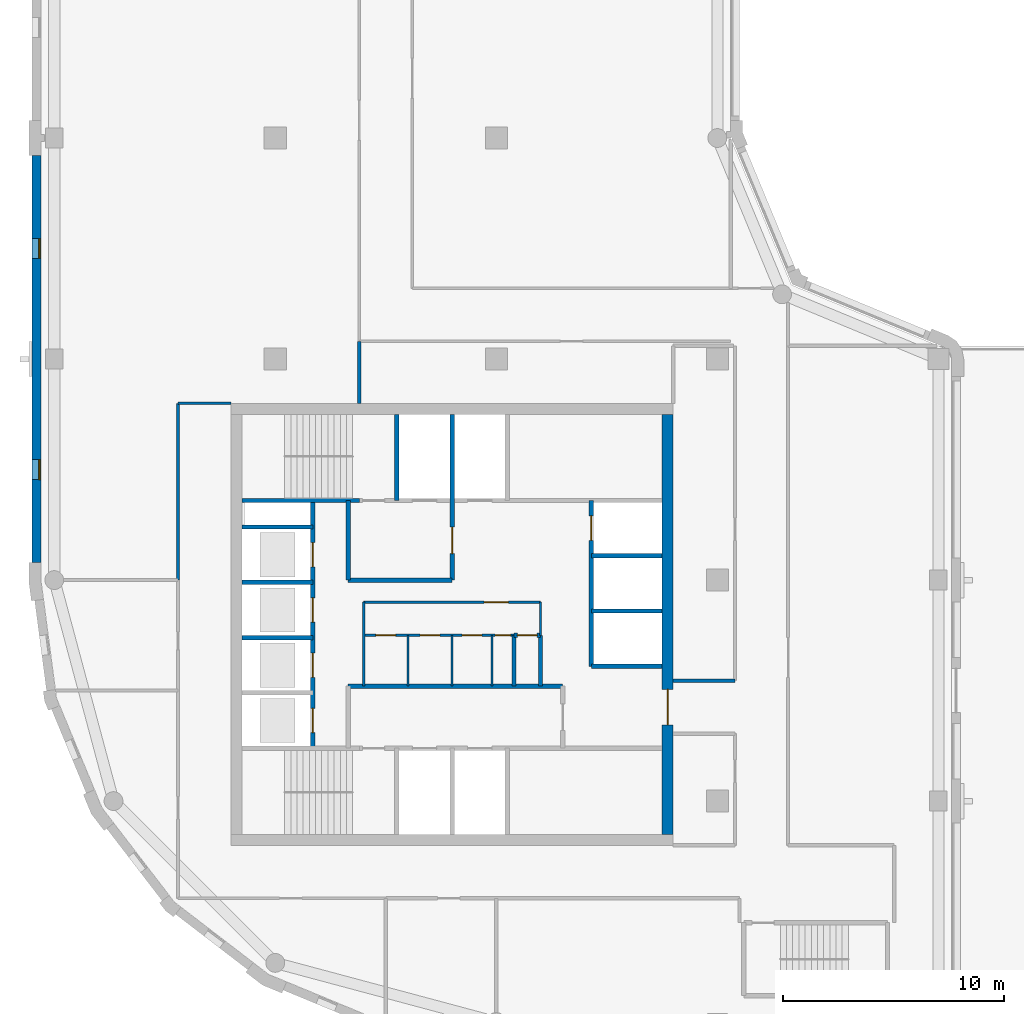
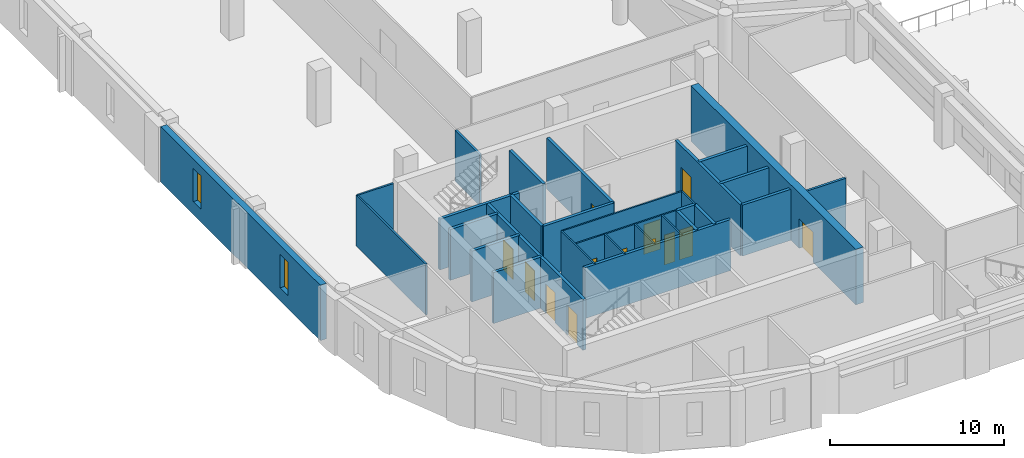
# One storey, part 3 of 8: 30 walls, 13 doors, 2 windows, 15 openings.
"""IFC4 building model written with IfcOpenShell, lengths in metres."""

import ifcopenshell
import ifcopenshell.guid

model = None  # the IFC model being written
_history = None  # IfcOwnerHistory: only IFC2X3 demands one
_inside = {}  # id of a spatial element -> (the spatial element, [elements in it])
_under = {}  # id of a project, library or spatial element -> (it, [spatial elements below it])
_declared = {}  # id of a project -> (the project, [libraries it declares])
_typed = {}  # id of a type object -> (the type object, [elements of that type])
_made_of = {}  # id of a material, layer set ... -> (it, [elements and type objects made of it])


def new_model(schema):
    """Start an empty IFC model of exactly this schema.

    Asked for "IFC4X3", IfcOpenShell would pick the latest addendum, in which some entities
    have other attributes; the version numbers below select the first issue.
    IFC2X3 requires an IfcOwnerHistory on every rooted entity: one is made here for all.
    """
    global model, _history
    if schema == "IFC4X3":
        model = ifcopenshell.file(schema_version=(4, 3, 0, 0))
    else:
        model = ifcopenshell.file(schema=schema)
    _inside.clear()
    _under.clear()
    _declared.clear()
    _typed.clear()
    _made_of.clear()
    _history = None
    if model.schema == "IFC2X3":
        org = make("IfcOrganization", Name="unknown")
        user = make(
            "IfcPersonAndOrganization",
            ThePerson=make("IfcPerson", FamilyName="unknown"),
            TheOrganization=org,
        )
        app = make(
            "IfcApplication",
            ApplicationDeveloper=org,
            Version="unknown",
            ApplicationFullName="unknown",
            ApplicationIdentifier="unknown",
        )
        _history = make(
            "IfcOwnerHistory",
            OwningUser=user,
            OwningApplication=app,
            ChangeAction="ADDED",
            CreationDate=0,
        )
    return model


def make(cls, **values):
    """One entity of the class cls with the attributes given. An attribute that is None is left unset."""
    return model.create_entity(
        cls, **{name: value for name, value in values.items() if value is not None}
    )


def rooted(cls, **values):
    """An entity with a GlobalId (a new one), such as an element, a storey or a relation."""
    return make(cls, GlobalId=ifcopenshell.guid.new(), OwnerHistory=_history, **values)


def si_unit(unit_type, name, prefix=None):
    """IfcSIUnit, for example si_unit("LENGTHUNIT", "METRE", prefix="MILLI")."""
    return make("IfcSIUnit", UnitType=unit_type, Prefix=prefix, Name=name)


def assignment(units):
    """IfcUnitAssignment: the units of a project."""
    return None if units is None else make("IfcUnitAssignment", Units=units)


def point(xyz):
    """IfcCartesianPoint."""
    return None if xyz is None else make("IfcCartesianPoint", Coordinates=xyz)


def direction(xyz):
    """IfcDirection."""
    return None if xyz is None else make("IfcDirection", DirectionRatios=xyz)


def frame(location, z_axis=None, x_axis=None):
    """IfcAxis2Placement3D, a coordinate frame: its origin and axes. An axis left out is left unset."""
    return make(
        "IfcAxis2Placement3D",
        Location=point(location),
        Axis=direction(z_axis),
        RefDirection=direction(x_axis),
    )


def frame_2d(location, x_axis=None):
    """IfcAxis2Placement2D, a coordinate frame in the plane: its origin and x axis."""
    return make(
        "IfcAxis2Placement2D", Location=point(location), RefDirection=direction(x_axis)
    )


def origin():
    """The frame at (0, 0, 0) with its axes left unset."""
    return frame((0.0, 0.0, 0.0))


def place(relative_to, where):
    """IfcLocalPlacement: puts the frame where relative to a parent placement (None: the world)."""
    return make(
        "IfcLocalPlacement", PlacementRelTo=relative_to, RelativePlacement=where
    )


def context(
    kind, dimensions, precision=None, world=None, true_north=None, identifier=None
):
    """IfcGeometricRepresentationContext, for example the 3D "Model" context."""
    return make(
        "IfcGeometricRepresentationContext",
        ContextIdentifier=identifier,
        ContextType=kind,
        CoordinateSpaceDimension=dimensions,
        Precision=precision,
        WorldCoordinateSystem=world,
        TrueNorth=true_north,
    )


def subcontext(parent, identifier, kind, view, scale=None):
    """IfcGeometricRepresentationSubContext, for example "Body" below "Model"."""
    return make(
        "IfcGeometricRepresentationSubContext",
        ContextIdentifier=identifier,
        ContextType=kind,
        ParentContext=parent,
        TargetScale=scale,
        TargetView=view,
    )


def project(units=None, contexts=None):
    """IfcProject with its units and contexts."""
    return rooted(
        "IfcProject",
        Name="project",
        RepresentationContexts=contexts,
        UnitsInContext=assignment(units),
    )


def spatial(cls, under=None, at=None, **own):
    """A site, building, storey or space (cls), placed at a placement, below another one or the project."""
    s = rooted(cls, ObjectPlacement=at, **own)
    if under is not None:
        _under.setdefault(under.id(), (under, []))[1].append(s)
    return s


def profile(cls, at=None, kind="AREA", **sizes):
    """A parametric profile (cls). Its sizes go by their IFC names, for example OverallWidth=200.0."""
    return make(cls, ProfileType=kind, Position=at, **sizes)


def rectangle(**sizes):
    """IfcRectangleProfileDef."""
    return profile("IfcRectangleProfileDef", **sizes)


def extrude(swept, where, along, depth):
    """IfcExtrudedAreaSolid: the profile swept, set in the frame where, extruded along a direction by depth."""
    return make(
        "IfcExtrudedAreaSolid",
        SweptArea=swept,
        Position=where,
        ExtrudedDirection=direction(along),
        Depth=depth,
    )


def shape(context_of_items, identifier, shape_type, items):
    """IfcShapeRepresentation: the items that make up one representation, for example the "Body"."""
    return make(
        "IfcShapeRepresentation",
        ContextOfItems=context_of_items,
        RepresentationIdentifier=identifier,
        RepresentationType=shape_type,
        Items=items,
    )


def material(Name=None, Category=None):
    """IfcMaterial."""
    return make("IfcMaterial", Name=Name, Category=Category)


def layer(
    of_material, thickness, ventilated=None, Name=None, Category=None, Priority=None
):
    """IfcMaterialLayer: one layer of a wall or slab, of a material (None: an air gap)."""
    return make(
        "IfcMaterialLayer",
        Material=of_material,
        LayerThickness=thickness,
        IsVentilated=ventilated,
        Name=Name,
        Category=Category,
        Priority=Priority,
    )


def layer_set(layers, Name=None):
    """IfcMaterialLayerSet."""
    return make("IfcMaterialLayerSet", MaterialLayers=layers, LayerSetName=Name)


def made_of(thing, what):
    """Note that an element or type object is made of a material, layer set ...; save() writes the relation."""
    if what is not None:
        _made_of.setdefault(what.id(), (what, []))[1].append(thing)
    return thing


def type_object(cls, material=None, **own):
    """A type object (cls), such as IfcWallType, which elements share."""
    return made_of(rooted(cls, **own), material)


def element(
    cls,
    number,
    at=None,
    inside=None,
    cuts=None,
    type_object=None,
    material=None,
    context=None,
    identifier="Body",
    shape_type=None,
    held_by="IfcProductDefinitionShape",
    body=None,
    shapes=None,
    **own,
):
    """One element of the class cls, such as IfcWall. Its Tag is "e" and its number.

    at: its placement. inside: the storey or other place that contains it. cuts: it is an
    opening in that element (IfcRelVoidsElement). A single representation is given by context,
    identifier, shape_type and body (its items); several are given by shapes. held_by: the class
    of the entity that holds the representations. save() writes the other relations.
    """
    e = rooted(cls, Tag="e%d" % number, ObjectPlacement=at, **own)
    if body is not None:
        shapes = [shape(context, identifier, shape_type, body)]
    if shapes is not None:
        e.Representation = make(held_by, Representations=shapes)
    if inside is not None:
        _inside.setdefault(inside.id(), (inside, []))[1].append(e)
    if cuts is not None:
        rooted(
            "IfcRelVoidsElement", RelatingBuildingElement=cuts, RelatedOpeningElement=e
        )
    if type_object is not None:
        _typed.setdefault(type_object.id(), (type_object, []))[1].append(e)
    return made_of(e, material)


def fill(opening, filler):
    """IfcRelFillsElement: the door or window that sits in an opening."""
    return rooted(
        "IfcRelFillsElement",
        RelatingOpeningElement=opening,
        RelatedBuildingElement=filler,
    )


def aggregate(whole, parts):
    """IfcRelAggregates: a whole, such as a stair, and the parts it consists of."""
    return rooted("IfcRelAggregates", RelatingObject=whole, RelatedObjects=parts)


def save(model, path):
    """Write the relations noted so far, then the file.

    IfcRelAggregates (storeys below a building ...), IfcRelContainedInSpatialStructure (elements
    in a storey), IfcRelDefinesByType, IfcRelAssociatesMaterial and IfcRelDeclares: one each for
    every whole, place, type object, material and project.
    """
    for whole, parts in _under.values():
        aggregate(whole, parts)
    for where, things in _inside.values():
        rooted(
            "IfcRelContainedInSpatialStructure",
            RelatedElements=things,
            RelatingStructure=where,
        )
    for kind, things in _typed.values():
        rooted("IfcRelDefinesByType", RelatedObjects=things, RelatingType=kind)
    for what, things in _made_of.values():
        rooted("IfcRelAssociatesMaterial", RelatedObjects=things, RelatingMaterial=what)
    for by, libraries in _declared.values():
        rooted("IfcRelDeclares", RelatingContext=by, RelatedDefinitions=libraries)
    model.write(path)


model = new_model("IFC4")

# Units and contexts
model_context = context("Model", 3, precision=1e-05, world=origin(), true_north=direction((0.0, 1.0)))
body_context = subcontext(model_context, "Body", "Model", "MODEL_VIEW")
ifc_project = project(units=[si_unit("LENGTHUNIT", "METRE"), si_unit("AREAUNIT", "SQUARE_METRE"), si_unit("VOLUMEUNIT", "CUBIC_METRE"), si_unit("PLANEANGLEUNIT", "RADIAN"), si_unit("MASSUNIT", "GRAM", prefix="KILO")], contexts=[model_context])

# Site, building, storey
site_placement = place(None, origin())
site = spatial("IfcSite", under=ifc_project, at=site_placement, CompositionType="ELEMENT")
building_placement = place(site_placement, origin())
building = spatial("IfcBuilding", under=site, at=building_placement, Name="Qaws Garden Tower", CompositionType="ELEMENT")
storey_placement = place(building_placement, frame((0.0, 0.0, 278.699951171875)))
storey = spatial("IfcBuildingStorey", under=building, at=storey_placement, Name="L67", CompositionType="ELEMENT", Elevation=278.699951171875)

# Wall, openings, windows
ifc_material_1 = material(Name="Clay facing brick masonry", Category="masonry")
ifc_layer_1 = layer(ifc_material_1, 0.39990234375)
ifc_layer_set_1 = layer_set([ifc_layer_1], Name="Clay facing brick masonry")
wall_type_1 = type_object("IfcWallType", Name="Brick infill wall 400", PredefinedType="SOLIDWALL", material=ifc_layer_set_1)
wall_1_placement = place(storey_placement, frame((-0.800048828125, 39.199951171875, 0.0), z_axis=(0.0, 0.0, 1.0), x_axis=(0.0, -1.0, 0.0)))
wall_1 = element("IfcWall", 1, at=wall_1_placement, inside=storey, type_object=wall_type_1, Name="E-L67-infill-19", PredefinedType="SOLIDWALL", context=body_context, shape_type="SweptSolid", body=[
    extrude(rectangle(XDim=18.39990234375, YDim=0.39990234375, at=frame_2d((9.199951171875, 0.0))), origin(), (0.0, 0.0, 1.0), 3.900146484375),
])
opening_1_placement = place(wall_1_placement, frame((3.75, 0.0, 0.89990234375)))
opening_1 = element("IfcOpeningElement", 2, at=opening_1_placement, cuts=wall_1, Name="Opening W09", PredefinedType="OPENING", context=body_context, shape_type="SweptSolid", body=[
    extrude(rectangle(XDim=0.89990234375, YDim=2.35009765625, at=frame_2d((0.449951171875, 1.175048828125))), frame((0.0, 0.2099609375, 0.0), z_axis=(0.0, -1.0, 0.0), x_axis=(1.0, 0.0, 0.0)), (0.0, 0.0, 1.0), 0.419921875),
])
opening_2_placement = place(wall_1_placement, frame((13.75, 0.0, 0.89990234375)))
opening_2 = element("IfcOpeningElement", 3, at=opening_2_placement, cuts=wall_1, Name="Opening W09", PredefinedType="OPENING", context=body_context, shape_type="SweptSolid", body=[
    extrude(rectangle(XDim=0.89990234375, YDim=2.35009765625, at=frame_2d((0.449951171875, 1.175048828125))), frame((0.0, 0.2099609375, 0.0), z_axis=(0.0, -1.0, 0.0), x_axis=(1.0, 0.0, 0.0)), (0.0, 0.0, 1.0), 0.419921875),
])
ifc_material_2 = material(Name="Aluminium framed window, clear glazing", Category="aluminium")
window_type = type_object("IfcWindowType", Name="Slit window 900 x 2350", PartitioningType="SINGLE_PANEL", PredefinedType="WINDOW", material=ifc_material_2)
window_1_placement = place(opening_1_placement, origin())
window_1 = element("IfcWindow", 4, at=window_1_placement, inside=storey, type_object=window_type, Name="E-L67-window-19-0", OverallHeight=2.35009765625, OverallWidth=0.89990234375, PartitioningType="SINGLE_PANEL", PredefinedType="WINDOW", context=body_context, shape_type="SweptSolid", body=[
    extrude(rectangle(XDim=0.89990234375, YDim=2.35009765625, at=frame_2d((0.449951171875, 1.175048828125))), frame((0.0, 0.159912109375, 0.0), z_axis=(0.0, -1.0, 0.0), x_axis=(1.0, 0.0, 0.0)), (0.0, 0.0, 1.0), 0.06005859375),
])
fill(opening_1, window_1)
window_2_placement = place(opening_2_placement, origin())
window_2 = element("IfcWindow", 5, at=window_2_placement, inside=storey, type_object=window_type, Name="E-L67-window-20-0", OverallHeight=2.35009765625, OverallWidth=0.89990234375, PartitioningType="SINGLE_PANEL", PredefinedType="WINDOW", context=body_context, shape_type="SweptSolid", body=[
    extrude(rectangle(XDim=0.89990234375, YDim=2.35009765625, at=frame_2d((0.449951171875, 1.175048828125))), frame((0.0, 0.159912109375, 0.0), z_axis=(0.0, -1.0, 0.0), x_axis=(1.0, 0.0, 0.0)), (0.0, 0.0, 1.0), 0.06005859375),
])
fill(opening_2, window_2)

# Wall, openings, doors
ifc_material_3 = material(Name="Plasterboard")
ifc_layer_2 = layer(ifc_material_3, 0.10009765625)
ifc_layer_set_2 = layer_set([ifc_layer_2], Name="Plasterboard")
wall_type_2 = type_object("IfcWallType", Name="Core partition 100", PredefinedType="PARTITIONING", material=ifc_layer_set_2)
wall_2_placement = place(storey_placement, frame((14.0, 17.5, 0.0), z_axis=(0.0, 0.0, 1.0), x_axis=(1.0, 0.0, 0.0)))
wall_2 = element("IfcWall", 6, at=wall_2_placement, inside=storey, type_object=wall_type_2, Name="Core partition", PredefinedType="PARTITIONING", context=body_context, shape_type="SweptSolid", body=[
    extrude(rectangle(XDim=6.800048828125, YDim=0.10009765625, at=frame_2d((3.39990234375, 0.0))), origin(), (0.0, 0.0, 1.0), 3.580078125),
])
opening_3_placement = place(wall_2_placement, frame((0.550048828125, 0.0, 0.0)))
opening_3 = element("IfcOpeningElement", 7, at=opening_3_placement, cuts=wall_2, Name="Opening WD18", PredefinedType="OPENING", context=body_context, shape_type="SweptSolid", body=[
    extrude(rectangle(XDim=0.89990234375, YDim=2.10009765625, at=frame_2d((0.449951171875, 1.050048828125))), frame((0.0, 0.06005859375, 0.0), z_axis=(0.0, -1.0, 0.0), x_axis=(1.0, 0.0, 0.0)), (0.0, 0.0, 1.0), 0.1201171875),
])
opening_4_placement = place(wall_2_placement, frame((2.550048828125, 0.0, 0.0)))
opening_4 = element("IfcOpeningElement", 8, at=opening_4_placement, cuts=wall_2, Name="Opening WD19", PredefinedType="OPENING", context=body_context, shape_type="SweptSolid", body=[
    extrude(rectangle(XDim=0.89990234375, YDim=2.10009765625, at=frame_2d((0.449951171875, 1.050048828125))), frame((0.0, 0.06005859375, 0.0), z_axis=(0.0, -1.0, 0.0), x_axis=(1.0, 0.0, 0.0)), (0.0, 0.0, 1.0), 0.1201171875),
])
opening_5_placement = place(wall_2_placement, frame((4.449951171875, 0.0, 0.0)))
opening_5 = element("IfcOpeningElement", 9, at=opening_5_placement, cuts=wall_2, Name="Opening WD20", PredefinedType="OPENING", context=body_context, shape_type="SweptSolid", body=[
    extrude(rectangle(XDim=0.89990234375, YDim=2.10009765625, at=frame_2d((0.449951171875, 1.050048828125))), frame((0.0, 0.06005859375, 0.0), z_axis=(0.0, -1.0, 0.0), x_axis=(1.0, 0.0, 0.0)), (0.0, 0.0, 1.0), 0.1201171875),
])
opening_6_placement = place(wall_2_placement, frame((5.949951171875, 0.0, 0.0)))
opening_6 = element("IfcOpeningElement", 10, at=opening_6_placement, cuts=wall_2, Name="Opening XD21", PredefinedType="OPENING", context=body_context, shape_type="SweptSolid", body=[
    extrude(rectangle(XDim=0.699951171875, YDim=2.10009765625, at=frame_2d((0.35009765625, 1.050048828125))), frame((0.0, 0.06005859375, 0.0), z_axis=(0.0, -1.0, 0.0), x_axis=(1.0, 0.0, 0.0)), (0.0, 0.0, 1.0), 0.1201171875),
])
ifc_material_4 = material(Name="Timber", Category="wood")
door_type_1 = type_object("IfcDoorType", Name="Store door 700x2100", OperationType="SINGLE_SWING_LEFT", PredefinedType="DOOR", material=ifc_material_4)
door_1_placement = place(opening_6_placement, frame((0.699951171875, 0.0, 0.0), z_axis=(0.0, 0.0, 1.0), x_axis=(-1.0, 0.0, 0.0)))
door_1 = element("IfcDoor", 11, at=door_1_placement, inside=storey, type_object=door_type_1, Name="Cleaner's store door", OperationType="SINGLE_SWING_LEFT", OverallHeight=2.10009765625, OverallWidth=0.699951171875, PredefinedType="DOOR", context=body_context, shape_type="SweptSolid", body=[
    extrude(rectangle(XDim=0.699951171875, YDim=2.10009765625, at=frame_2d((0.35009765625, 1.050048828125))), frame((0.0, 0.02490234375, 0.0), z_axis=(0.0, -1.0, 0.0), x_axis=(1.0, 0.0, 0.0)), (0.0, 0.0, 1.0), 0.050048828125),
])
fill(opening_6, door_1)
ifc_material_5 = material(Name="Timber", Category="wood")
door_type_2 = type_object("IfcDoorType", Name="WC door 900x2100", OperationType="SINGLE_SWING_LEFT", PredefinedType="DOOR", material=ifc_material_5)
door_2_placement = place(opening_3_placement, frame((0.89990234375, 0.0, 0.0), z_axis=(0.0, 0.0, 1.0), x_axis=(-1.0, 0.0, 0.0)))
door_2 = element("IfcDoor", 12, at=door_2_placement, inside=storey, type_object=door_type_2, Name="Women's WC door", OperationType="SINGLE_SWING_LEFT", OverallHeight=2.10009765625, OverallWidth=0.89990234375, PredefinedType="DOOR", context=body_context, shape_type="SweptSolid", body=[
    extrude(rectangle(XDim=0.89990234375, YDim=2.10009765625, at=frame_2d((0.449951171875, 1.050048828125))), frame((0.0, 0.02490234375, 0.0), z_axis=(0.0, -1.0, 0.0), x_axis=(1.0, 0.0, 0.0)), (0.0, 0.0, 1.0), 0.050048828125),
])
fill(opening_3, door_2)
door_3_placement = place(opening_4_placement, frame((0.89990234375, 0.0, 0.0), z_axis=(0.0, 0.0, 1.0), x_axis=(-1.0, 0.0, 0.0)))
door_3 = element("IfcDoor", 13, at=door_3_placement, inside=storey, type_object=door_type_2, Name="Men's WC door", OperationType="SINGLE_SWING_LEFT", OverallHeight=2.10009765625, OverallWidth=0.89990234375, PredefinedType="DOOR", context=body_context, shape_type="SweptSolid", body=[
    extrude(rectangle(XDim=0.89990234375, YDim=2.10009765625, at=frame_2d((0.449951171875, 1.050048828125))), frame((0.0, 0.02490234375, 0.0), z_axis=(0.0, -1.0, 0.0), x_axis=(1.0, 0.0, 0.0)), (0.0, 0.0, 1.0), 0.050048828125),
])
fill(opening_4, door_3)
door_4_placement = place(opening_5_placement, frame((0.89990234375, 0.0, 0.0), z_axis=(0.0, 0.0, 1.0), x_axis=(-1.0, 0.0, 0.0)))
door_4 = element("IfcDoor", 14, at=door_4_placement, inside=storey, type_object=door_type_2, Name="Accessible WC door", OperationType="SINGLE_SWING_LEFT", OverallHeight=2.10009765625, OverallWidth=0.89990234375, PredefinedType="DOOR", context=body_context, shape_type="SweptSolid", body=[
    extrude(rectangle(XDim=0.89990234375, YDim=2.10009765625, at=frame_2d((0.449951171875, 1.050048828125))), frame((0.0, 0.02490234375, 0.0), z_axis=(0.0, -1.0, 0.0), x_axis=(1.0, 0.0, 0.0)), (0.0, 0.0, 1.0), 0.050048828125),
])
fill(opening_5, door_4)

# Wall, opening, door
wall_3_placement = place(storey_placement, frame((14.0, 19.0, 0.0), z_axis=(0.0, 0.0, 1.0), x_axis=(1.0, 0.0, 0.0)))
wall_3 = element("IfcWall", 15, at=wall_3_placement, inside=storey, type_object=wall_type_2, Name="Core partition", PredefinedType="PARTITIONING", context=body_context, shape_type="SweptSolid", body=[
    extrude(rectangle(XDim=8.0, YDim=0.10009765625, at=frame_2d((4.0, 0.0))), origin(), (0.0, 0.0, 1.0), 3.580078125),
])
opening_7_placement = place(wall_3_placement, frame((5.449951171875, 0.0, 0.0)))
opening_7 = element("IfcOpeningElement", 16, at=opening_7_placement, cuts=wall_3, Name="Opening WL17", PredefinedType="OPENING", context=body_context, shape_type="SweptSolid", body=[
    extrude(rectangle(XDim=1.10009765625, YDim=2.10009765625, at=frame_2d((0.550048828125, 1.050048828125))), frame((0.0, 0.06005859375, 0.0), z_axis=(0.0, -1.0, 0.0), x_axis=(1.0, 0.0, 0.0)), (0.0, 0.0, 1.0), 0.1201171875),
])
ifc_material_6 = material(Name="Timber", Category="wood")
door_type_3 = type_object("IfcDoorType", Name="WC lobby door 1100x2100", OperationType="SINGLE_SWING_LEFT", PredefinedType="DOOR", material=ifc_material_6)
door_5_placement = place(opening_7_placement, frame((1.10009765625, 0.0, 0.0), z_axis=(0.0, 0.0, 1.0), x_axis=(-1.0, 0.0, 0.0)))
door_5 = element("IfcDoor", 17, at=door_5_placement, inside=storey, type_object=door_type_3, Name="WC lobby door", OperationType="SINGLE_SWING_LEFT", OverallHeight=2.10009765625, OverallWidth=1.10009765625, PredefinedType="DOOR", context=body_context, shape_type="SweptSolid", body=[
    extrude(rectangle(XDim=1.10009765625, YDim=2.10009765625, at=frame_2d((0.550048828125, 1.050048828125))), frame((0.0, 0.02490234375, 0.0), z_axis=(0.0, -1.0, 0.0), x_axis=(1.0, 0.0, 0.0)), (0.0, 0.0, 1.0), 0.050048828125),
])
fill(opening_7, door_5)

# Walls
wall_4_placement = place(storey_placement, frame((14.0, 15.199951171875, 0.0), z_axis=(0.0, 0.0, 1.0), x_axis=(0.0, 1.0, 0.0)))
element("IfcWall", 18, at=wall_4_placement, inside=storey, type_object=wall_type_2, Name="Core partition", PredefinedType="PARTITIONING", context=body_context, shape_type="SweptSolid", body=[
    extrude(rectangle(XDim=3.800048828125, YDim=0.10009765625, at=frame_2d((1.89990234375, 0.0))), origin(), (0.0, 0.0, 1.0), 3.580078125),
])
for number, where, z_axis, x_axis, name in (
    (19, (16.0, 15.199951171875, 0.0), (0.0, 0.0, 1.0), (0.0, 1.0, 0.0), "Core partition"),
    (20, (18.0, 15.199951171875, 0.0), (0.0, 0.0, 1.0), (0.0, 1.0, 0.0), "Core partition"),
    (21, (19.800048828125, 15.199951171875, 0.0), (0.0, 0.0, 1.0), (0.0, 1.0, 0.0), "Core partition"),
):
    element("IfcWall", number, at=place(storey_placement, frame(where, z_axis=z_axis, x_axis=x_axis)), inside=storey, type_object=wall_type_2, Name=name, PredefinedType="PARTITIONING", context=body_context, shape_type="SweptSolid", body=[
        extrude(rectangle(XDim=2.300048828125, YDim=0.10009765625, at=frame_2d((1.14990234375, 0.0))), origin(), (0.0, 0.0, 1.0), 3.580078125),
    ])
wall_5_placement = place(storey_placement, frame((22.0, 17.5, 0.0), z_axis=(0.0, 0.0, 1.0), x_axis=(0.0, 1.0, 0.0)))
element("IfcWall", 22, at=wall_5_placement, inside=storey, type_object=wall_type_2, Name="Core partition", PredefinedType="PARTITIONING", context=body_context, shape_type="SweptSolid", body=[
    extrude(rectangle(XDim=1.5, YDim=0.10009765625, at=frame_2d((0.75, 0.0))), origin(), (0.0, 0.0, 1.0), 3.580078125),
])
ifc_material_7 = material(Name="Concrete C60", Category="concrete")
ifc_layer_3 = layer(ifc_material_7, 0.199951171875)
ifc_layer_set_3 = layer_set([ifc_layer_3], Name="Concrete C60")
wall_type_3 = type_object("IfcWallType", Name="Core shaft wall 200 C60", PredefinedType="SHEAR", material=ifc_layer_set_3)
wall_6_placement = place(storey_placement, frame((13.300048828125, 15.199951171875, 0.0), z_axis=(0.0, 0.0, 1.0), x_axis=(1.0, 0.0, 0.0)))
element("IfcWall", 23, at=wall_6_placement, inside=storey, type_object=wall_type_3, Name="Shaft wall", PredefinedType="SHEAR", context=body_context, shape_type="SweptSolid", body=[
    extrude(rectangle(XDim=9.699951171875, YDim=0.199951171875, at=frame_2d((4.85009765625, 0.0))), origin(), (0.0, 0.0, 1.0), 3.580078125),
])
for number, where, z_axis, x_axis, name in (
    (24, (24.300048828125, 16.10009765625, 0.0), (0.0, 0.0, 1.0), (1.0, 0.0, 0.0), "Shaft wall"),
    (25, (8.5, 17.39990234375, 0.0), (0.0, 0.0, 1.0), (1.0, 0.0, 0.0), "Shaft wall"),
):
    element("IfcWall", number, at=place(storey_placement, frame(where, z_axis=z_axis, x_axis=x_axis)), inside=storey, type_object=wall_type_3, Name=name, PredefinedType="SHEAR", context=body_context, shape_type="SweptSolid", body=[
        extrude(rectangle(XDim=3.199951171875, YDim=0.199951171875, at=frame_2d((1.60009765625, 0.0))), origin(), (0.0, 0.0, 1.0), 3.580078125),
    ])

# Wall, opening, door
wall_7_placement = place(storey_placement, frame((20.800048828125, 17.5, 0.0), z_axis=(0.0, 0.0, 1.0), x_axis=(1.0, 0.0, 0.0)))
wall_7 = element("IfcWall", 26, at=wall_7_placement, inside=storey, type_object=wall_type_3, Name="Shaft wall", PredefinedType="SHEAR", context=body_context, shape_type="SweptSolid", body=[
    extrude(rectangle(XDim=1.199951171875, YDim=0.199951171875, at=frame_2d((0.60009765625, 0.0))), origin(), (0.0, 0.0, 1.0), 3.580078125),
])
opening_8_placement = place(wall_7_placement, frame((0.14990234375, 0.0, 0.0)))
opening_8 = element("IfcOpeningElement", 27, at=opening_8_placement, cuts=wall_7, Name="Opening WD22", PredefinedType="OPENING", context=body_context, shape_type="SweptSolid", body=[
    extrude(rectangle(XDim=0.89990234375, YDim=2.10009765625, at=frame_2d((0.449951171875, 1.050048828125))), frame((0.0, 0.10986328125, 0.0), z_axis=(0.0, -1.0, 0.0), x_axis=(1.0, 0.0, 0.0)), (0.0, 0.0, 1.0), 0.219970703125),
])
door_6_placement = place(opening_8_placement, frame((0.89990234375, 0.0, 0.0), z_axis=(0.0, 0.0, 1.0), x_axis=(-1.0, 0.0, 0.0)))
door_6 = element("IfcDoor", 28, at=door_6_placement, inside=storey, type_object=door_type_2, Name="Telecom riser door", OperationType="SINGLE_SWING_LEFT", OverallHeight=2.10009765625, OverallWidth=0.89990234375, PredefinedType="DOOR", context=body_context, shape_type="SweptSolid", body=[
    extrude(rectangle(XDim=0.89990234375, YDim=2.10009765625, at=frame_2d((0.449951171875, 1.050048828125))), frame((0.0, 0.02490234375, 0.0), z_axis=(0.0, -1.0, 0.0), x_axis=(1.0, 0.0, 0.0)), (0.0, 0.0, 1.0), 0.050048828125),
])
fill(opening_8, door_6)

# Walls
for number, where, z_axis, x_axis, name in (
    (29, (24.300048828125, 18.60009765625, 0.0), (0.0, 0.0, 1.0), (1.0, 0.0, 0.0), "Shaft wall"),
    (30, (8.5, 19.89990234375, 0.0), (0.0, 0.0, 1.0), (1.0, 0.0, 0.0), "Shaft wall"),
):
    element("IfcWall", number, at=place(storey_placement, frame(where, z_axis=z_axis, x_axis=x_axis)), inside=storey, type_object=wall_type_3, Name=name, PredefinedType="SHEAR", context=body_context, shape_type="SweptSolid", body=[
        extrude(rectangle(XDim=3.199951171875, YDim=0.199951171875, at=frame_2d((1.60009765625, 0.0))), origin(), (0.0, 0.0, 1.0), 3.580078125),
    ])
wall_8_placement = place(storey_placement, frame((13.300048828125, 20.0, 0.0), z_axis=(0.0, 0.0, 1.0), x_axis=(1.0, 0.0, 0.0)))
element("IfcWall", 31, at=wall_8_placement, inside=storey, type_object=wall_type_3, Name="Shaft wall", PredefinedType="SHEAR", context=body_context, shape_type="SweptSolid", body=[
    extrude(rectangle(XDim=4.699951171875, YDim=0.199951171875, at=frame_2d((2.35009765625, 0.0))), origin(), (0.0, 0.0, 1.0), 3.580078125),
])
for number, where, z_axis, x_axis, name in (
    (32, (24.300048828125, 21.10009765625, 0.0), (0.0, 0.0, 1.0), (1.0, 0.0, 0.0), "Shaft wall"),
    (33, (8.5, 22.39990234375, 0.0), (0.0, 0.0, 1.0), (1.0, 0.0, 0.0), "Shaft wall"),
):
    element("IfcWall", number, at=place(storey_placement, frame(where, z_axis=z_axis, x_axis=x_axis)), inside=storey, type_object=wall_type_3, Name=name, PredefinedType="SHEAR", context=body_context, shape_type="SweptSolid", body=[
        extrude(rectangle(XDim=3.199951171875, YDim=0.199951171875, at=frame_2d((1.60009765625, 0.0))), origin(), (0.0, 0.0, 1.0), 3.580078125),
    ])
wall_9_placement = place(storey_placement, frame((8.5, 23.60009765625, 0.0), z_axis=(0.0, 0.0, 1.0), x_axis=(1.0, 0.0, 0.0)))
element("IfcWall", 34, at=wall_9_placement, inside=storey, type_object=wall_type_3, Name="Shaft wall", PredefinedType="SHEAR", context=body_context, shape_type="SweptSolid", body=[
    extrude(rectangle(XDim=5.300048828125, YDim=0.199951171875, at=frame_2d((2.64990234375, 0.0))), origin(), (0.0, 0.0, 1.0), 3.580078125),
])

# Wall, openings, doors
wall_10_placement = place(storey_placement, frame((11.699951171875, 12.39990234375, 0.0), z_axis=(0.0, 0.0, 1.0), x_axis=(0.0, 1.0, 0.0)))
wall_10 = element("IfcWall", 35, at=wall_10_placement, inside=storey, type_object=wall_type_3, Name="Shaft wall", PredefinedType="SHEAR", context=body_context, shape_type="SweptSolid", body=[
    extrude(rectangle(XDim=11.2001953125, YDim=0.199951171875, at=frame_2d((5.60009765625, 0.0))), origin(), (0.0, 0.0, 1.0), 3.580078125),
])
opening_9_placement = place(wall_10_placement, frame((0.699951171875, 0.0, 0.0)))
opening_9 = element("IfcOpeningElement", 36, at=opening_9_placement, cuts=wall_10, Name="Opening LD01", PredefinedType="OPENING", context=body_context, shape_type="SweptSolid", body=[
    extrude(rectangle(XDim=1.10009765625, YDim=2.10009765625, at=frame_2d((0.550048828125, 1.050048828125))), frame((0.0, 0.10986328125, 0.0), z_axis=(0.0, -1.0, 0.0), x_axis=(1.0, 0.0, 0.0)), (0.0, 0.0, 1.0), 0.219970703125),
])
opening_10_placement = place(wall_10_placement, frame((3.199951171875, 0.0, 0.0)))
opening_10 = element("IfcOpeningElement", 37, at=opening_10_placement, cuts=wall_10, Name="Opening LD02", PredefinedType="OPENING", context=body_context, shape_type="SweptSolid", body=[
    extrude(rectangle(XDim=1.10009765625, YDim=2.10009765625, at=frame_2d((0.550048828125, 1.050048828125))), frame((0.0, 0.10986328125, 0.0), z_axis=(0.0, -1.0, 0.0), x_axis=(1.0, 0.0, 0.0)), (0.0, 0.0, 1.0), 0.219970703125),
])
opening_11_placement = place(wall_10_placement, frame((5.699951171875, 0.0, 0.0)))
opening_11 = element("IfcOpeningElement", 38, at=opening_11_placement, cuts=wall_10, Name="Opening LD03", PredefinedType="OPENING", context=body_context, shape_type="SweptSolid", body=[
    extrude(rectangle(XDim=1.10009765625, YDim=2.10009765625, at=frame_2d((0.550048828125, 1.050048828125))), frame((0.0, 0.10986328125, 0.0), z_axis=(0.0, -1.0, 0.0), x_axis=(1.0, 0.0, 0.0)), (0.0, 0.0, 1.0), 0.219970703125),
])
opening_12_placement = place(wall_10_placement, frame((8.199951171875, 0.0, 0.0)))
opening_12 = element("IfcOpeningElement", 39, at=opening_12_placement, cuts=wall_10, Name="Opening LD04", PredefinedType="OPENING", context=body_context, shape_type="SweptSolid", body=[
    extrude(rectangle(XDim=1.10009765625, YDim=2.10009765625, at=frame_2d((0.550048828125, 1.050048828125))), frame((0.0, 0.10986328125, 0.0), z_axis=(0.0, -1.0, 0.0), x_axis=(1.0, 0.0, 0.0)), (0.0, 0.0, 1.0), 0.219970703125),
])
ifc_material_8 = material(Name="Steel S235", Category="steel")
door_type_4 = type_object("IfcDoorType", Name="Landing door 1100x2100", OperationType="DOUBLE_DOOR_SLIDING", PredefinedType="DOOR", material=ifc_material_8)
door_7_placement = place(opening_9_placement, origin())
door_7 = element("IfcDoor", 40, at=door_7_placement, inside=storey, type_object=door_type_4, Name="Lift W1 landing door", OperationType="DOUBLE_DOOR_SLIDING", OverallHeight=2.10009765625, OverallWidth=1.10009765625, PredefinedType="DOOR", context=body_context, shape_type="SweptSolid", body=[
    extrude(rectangle(XDim=1.10009765625, YDim=2.10009765625, at=frame_2d((0.550048828125, 1.050048828125))), frame((0.0, 0.02490234375, 0.0), z_axis=(0.0, -1.0, 0.0), x_axis=(1.0, 0.0, 0.0)), (0.0, 0.0, 1.0), 0.050048828125),
])
fill(opening_9, door_7)
door_8_placement = place(opening_10_placement, origin())
door_8 = element("IfcDoor", 41, at=door_8_placement, inside=storey, type_object=door_type_4, Name="Lift W2 landing door", OperationType="DOUBLE_DOOR_SLIDING", OverallHeight=2.10009765625, OverallWidth=1.10009765625, PredefinedType="DOOR", context=body_context, shape_type="SweptSolid", body=[
    extrude(rectangle(XDim=1.10009765625, YDim=2.10009765625, at=frame_2d((0.550048828125, 1.050048828125))), frame((0.0, 0.02490234375, 0.0), z_axis=(0.0, -1.0, 0.0), x_axis=(1.0, 0.0, 0.0)), (0.0, 0.0, 1.0), 0.050048828125),
])
fill(opening_10, door_8)
door_9_placement = place(opening_11_placement, origin())
door_9 = element("IfcDoor", 42, at=door_9_placement, inside=storey, type_object=door_type_4, Name="Lift W3 landing door", OperationType="DOUBLE_DOOR_SLIDING", OverallHeight=2.10009765625, OverallWidth=1.10009765625, PredefinedType="DOOR", context=body_context, shape_type="SweptSolid", body=[
    extrude(rectangle(XDim=1.10009765625, YDim=2.10009765625, at=frame_2d((0.550048828125, 1.050048828125))), frame((0.0, 0.02490234375, 0.0), z_axis=(0.0, -1.0, 0.0), x_axis=(1.0, 0.0, 0.0)), (0.0, 0.0, 1.0), 0.050048828125),
])
fill(opening_11, door_9)
door_10_placement = place(opening_12_placement, origin())
door_10 = element("IfcDoor", 43, at=door_10_placement, inside=storey, type_object=door_type_4, Name="Lift W4 landing door", OperationType="DOUBLE_DOOR_SLIDING", OverallHeight=2.10009765625, OverallWidth=1.10009765625, PredefinedType="DOOR", context=body_context, shape_type="SweptSolid", body=[
    extrude(rectangle(XDim=1.10009765625, YDim=2.10009765625, at=frame_2d((0.550048828125, 1.050048828125))), frame((0.0, 0.02490234375, 0.0), z_axis=(0.0, -1.0, 0.0), x_axis=(1.0, 0.0, 0.0)), (0.0, 0.0, 1.0), 0.050048828125),
])
fill(opening_12, door_10)

# Walls
wall_11_placement = place(storey_placement, frame((13.300048828125, 20.0, 0.0), z_axis=(0.0, 0.0, 1.0), x_axis=(0.0, 1.0, 0.0)))
element("IfcWall", 44, at=wall_11_placement, inside=storey, type_object=wall_type_3, Name="Shaft wall", PredefinedType="SHEAR", context=body_context, shape_type="SweptSolid", body=[
    extrude(rectangle(XDim=3.60009765625, YDim=0.199951171875, at=frame_2d((1.800048828125, 0.0))), origin(), (0.0, 0.0, 1.0), 3.580078125),
])
wall_12_placement = place(storey_placement, frame((15.5, 23.60009765625, 0.0), z_axis=(0.0, 0.0, 1.0), x_axis=(0.0, 1.0, 0.0)))
element("IfcWall", 45, at=wall_12_placement, inside=storey, type_object=wall_type_3, Name="Shaft wall", PredefinedType="SHEAR", context=body_context, shape_type="SweptSolid", body=[
    extrude(rectangle(XDim=3.89990234375, YDim=0.199951171875, at=frame_2d((1.949951171875, 0.0))), origin(), (0.0, 0.0, 1.0), 3.580078125),
])

# Wall, opening, door
wall_13_placement = place(storey_placement, frame((18.0, 20.0, 0.0), z_axis=(0.0, 0.0, 1.0), x_axis=(0.0, 1.0, 0.0)))
wall_13 = element("IfcWall", 46, at=wall_13_placement, inside=storey, type_object=wall_type_3, Name="Shaft wall", PredefinedType="SHEAR", context=body_context, shape_type="SweptSolid", body=[
    extrude(rectangle(XDim=7.5, YDim=0.199951171875, at=frame_2d((3.75, 0.0))), origin(), (0.0, 0.0, 1.0), 3.580078125),
])
opening_13_placement = place(wall_13_placement, frame((1.199951171875, 0.0, 0.0)))
opening_13 = element("IfcOpeningElement", 47, at=opening_13_placement, cuts=wall_13, Name="Opening FD16", PredefinedType="OPENING", context=body_context, shape_type="SweptSolid", body=[
    extrude(rectangle(XDim=1.199951171875, YDim=2.10009765625, at=frame_2d((0.60009765625, 1.050048828125))), frame((0.0, 0.10986328125, 0.0), z_axis=(0.0, -1.0, 0.0), x_axis=(1.0, 0.0, 0.0)), (0.0, 0.0, 1.0), 0.219970703125),
])
ifc_material_9 = material(Name="Steel S235", Category="steel")
door_type_5 = type_object("IfcDoorType", Name="Lobby door 1200x2100", OperationType="DOUBLE_DOOR_SINGLE_SWING", PredefinedType="DOOR", material=ifc_material_9)
door_11_placement = place(opening_13_placement, origin())
door_11 = element("IfcDoor", 48, at=door_11_placement, inside=storey, type_object=door_type_5, Name="Fire-fighting lobby door", OperationType="DOUBLE_DOOR_SINGLE_SWING", OverallHeight=2.10009765625, OverallWidth=1.199951171875, PredefinedType="DOOR", context=body_context, shape_type="SweptSolid", body=[
    extrude(rectangle(XDim=1.199951171875, YDim=2.10009765625, at=frame_2d((0.60009765625, 1.050048828125))), frame((0.0, 0.02490234375, 0.0), z_axis=(0.0, -1.0, 0.0), x_axis=(1.0, 0.0, 0.0)), (0.0, 0.0, 1.0), 0.050048828125),
])
fill(opening_13, door_11)

# Walls
for number, where, z_axis, x_axis, name in (
    (49, (20.800048828125, 15.199951171875, 0.0), (0.0, 0.0, 1.0), (0.0, 1.0, 0.0), "Shaft wall"),
    (50, (22.0, 15.199951171875, 0.0), (0.0, 0.0, 1.0), (0.0, 1.0, 0.0), "Shaft wall"),
):
    element("IfcWall", number, at=place(storey_placement, frame(where, z_axis=z_axis, x_axis=x_axis)), inside=storey, type_object=wall_type_3, Name=name, PredefinedType="SHEAR", context=body_context, shape_type="SweptSolid", body=[
        extrude(rectangle(XDim=2.300048828125, YDim=0.199951171875, at=frame_2d((1.14990234375, 0.0))), origin(), (0.0, 0.0, 1.0), 3.580078125),
    ])

# Wall, opening, door
wall_14_placement = place(storey_placement, frame((24.300048828125, 16.10009765625, 0.0), z_axis=(0.0, 0.0, 1.0), x_axis=(0.0, 1.0, 0.0)))
wall_14 = element("IfcWall", 51, at=wall_14_placement, inside=storey, type_object=wall_type_3, Name="Shaft wall", PredefinedType="SHEAR", context=body_context, shape_type="SweptSolid", body=[
    extrude(rectangle(XDim=7.5, YDim=0.199951171875, at=frame_2d((3.75, 0.0))), origin(), (0.0, 0.0, 1.0), 3.580078125),
])
opening_14_placement = place(wall_14_placement, frame((5.699951171875, 0.0, 0.0)))
opening_14 = element("IfcOpeningElement", 52, at=opening_14_placement, cuts=wall_14, Name="Opening LD05", PredefinedType="OPENING", context=body_context, shape_type="SweptSolid", body=[
    extrude(rectangle(XDim=1.10009765625, YDim=2.10009765625, at=frame_2d((0.550048828125, 1.050048828125))), frame((0.0, 0.10986328125, 0.0), z_axis=(0.0, -1.0, 0.0), x_axis=(1.0, 0.0, 0.0)), (0.0, 0.0, 1.0), 0.219970703125),
])
door_12_placement = place(opening_14_placement, origin())
door_12 = element("IfcDoor", 53, at=door_12_placement, inside=storey, type_object=door_type_4, Name="Lift E3 landing door", OperationType="DOUBLE_DOOR_SLIDING", OverallHeight=2.10009765625, OverallWidth=1.10009765625, PredefinedType="DOOR", context=body_context, shape_type="SweptSolid", body=[
    extrude(rectangle(XDim=1.10009765625, YDim=2.10009765625, at=frame_2d((0.550048828125, 1.050048828125))), frame((0.0, 0.02490234375, 0.0), z_axis=(0.0, -1.0, 0.0), x_axis=(1.0, 0.0, 0.0)), (0.0, 0.0, 1.0), 0.050048828125),
])
fill(opening_14, door_12)

ifc_material_10 = material(Name="Concrete C60", Category="concrete")
ifc_layer_4 = layer(ifc_material_10, 0.5)
ifc_layer_set_4 = layer_set([ifc_layer_4], Name="Concrete C60")
wall_type_4 = type_object("IfcWallType", Name="Core wall 500 C60", PredefinedType="SHEAR", material=ifc_layer_set_4)
wall_15_placement = place(storey_placement, frame((27.75, 8.5, 0.0), z_axis=(0.0, 0.0, 1.0), x_axis=(0.0, 1.0, 0.0)))
wall_15 = element("IfcWall", 54, at=wall_15_placement, inside=storey, type_object=wall_type_4, Name="Core wall L67 east", PredefinedType="SHEAR", context=body_context, shape_type="SweptSolid", body=[
    extrude(rectangle(XDim=19.0, YDim=0.5, at=frame_2d((9.5, 0.0))), origin(), (0.0, 0.0, 1.0), 3.900146484375),
])
opening_15_placement = place(wall_15_placement, frame((4.949951171875, 0.0, 0.0)))
opening_15 = element("IfcOpeningElement", 55, at=opening_15_placement, cuts=wall_15, Name="Opening ED23", PredefinedType="OPENING", context=body_context, shape_type="SweptSolid", body=[
    extrude(rectangle(XDim=1.60009765625, YDim=2.10009765625, at=frame_2d((0.800048828125, 1.050048828125))), frame((0.0, 0.260009765625, 0.0), z_axis=(0.0, -1.0, 0.0), x_axis=(1.0, 0.0, 0.0)), (0.0, 0.0, 1.0), 0.52001953125),
])
ifc_material_11 = material(Name="Steel S235", Category="steel")
door_type_6 = type_object("IfcDoorType", Name="Core entrance door 1600x2100", OperationType="DOUBLE_DOOR_SINGLE_SWING", PredefinedType="DOOR", material=ifc_material_11)
door_13_placement = place(opening_15_placement, origin())
door_13 = element("IfcDoor", 56, at=door_13_placement, inside=storey, type_object=door_type_6, Name="Core entrance door", OperationType="DOUBLE_DOOR_SINGLE_SWING", OverallHeight=2.10009765625, OverallWidth=1.60009765625, PredefinedType="DOOR", context=body_context, shape_type="SweptSolid", body=[
    extrude(rectangle(XDim=1.60009765625, YDim=2.10009765625, at=frame_2d((0.800048828125, 1.050048828125))), frame((0.0, 0.02490234375, 0.0), z_axis=(0.0, -1.0, 0.0), x_axis=(1.0, 0.0, 0.0)), (0.0, 0.0, 1.0), 0.050048828125),
])
fill(opening_15, door_13)

# Walls
ifc_material_12 = material(Name="Glass and aluminium framing", Category="aluminium")
ifc_layer_5 = layer(ifc_material_12, 0.1201171875)
ifc_layer_set_5 = layer_set([ifc_layer_5], Name="Glass and aluminium framing")
wall_type_5 = type_object("IfcWallType", Name="GLAZED PARTITION 120 EI 30", PredefinedType="PARTITIONING", material=ifc_layer_set_5)
wall_16_placement = place(storey_placement, frame((5.60009765625, 20.0, 0.0), z_axis=(0.0, 0.0, 1.0), x_axis=(0.0, 1.0, 0.0)))
element("IfcWall", 57, at=wall_16_placement, inside=storey, type_object=wall_type_5, Name="O-L67-wall-028", PredefinedType="PARTITIONING", context=body_context, shape_type="SweptSolid", body=[
    extrude(rectangle(XDim=8.0, YDim=0.1201171875, at=frame_2d((4.0, 0.0))), origin(), (0.0, 0.0, 1.0), 3.580078125),
])
wall_17_placement = place(storey_placement, frame((5.60009765625, 28.0, 0.0), z_axis=(0.0, 0.0, 1.0), x_axis=(1.0, 0.0, 0.0)))
element("IfcWall", 58, at=wall_17_placement, inside=storey, type_object=wall_type_5, Name="O-L67-wall-035", PredefinedType="PARTITIONING", context=body_context, shape_type="SweptSolid", body=[
    extrude(rectangle(XDim=2.39990234375, YDim=0.1201171875, at=frame_2d((1.199951171875, 0.0))), origin(), (0.0, 0.0, 1.0), 3.580078125),
])
ifc_material_13 = material(Name="Gypsum board partition")
ifc_layer_6 = layer(ifc_material_13, 0.14990234375)
ifc_layer_set_6 = layer_set([ifc_layer_6], Name="Gypsum board partition")
wall_type_6 = type_object("IfcWallType", Name="PARTITION 150 EI 60", PredefinedType="PARTITIONING", material=ifc_layer_set_6)
wall_18_placement = place(storey_placement, frame((13.800048828125, 28.0, 0.0), z_axis=(0.0, 0.0, 1.0), x_axis=(0.0, 1.0, 0.0)))
element("IfcWall", 59, at=wall_18_placement, inside=storey, type_object=wall_type_6, Name="O-L67-wall-002", PredefinedType="PARTITIONING", context=body_context, shape_type="SweptSolid", body=[
    extrude(rectangle(XDim=2.801025390625, YDim=0.14990234375, at=frame_2d((1.400390625, 0.0))), origin(), (0.0, 0.0, 1.0), 3.580078125),
])
wall_19_placement = place(storey_placement, frame((28.0, 15.449951171875, 0.0), z_axis=(0.0, 0.0, 1.0), x_axis=(1.0, 0.0, 0.0)))
element("IfcWall", 60, at=wall_19_placement, inside=storey, type_object=wall_type_6, Name="O-L67-wall-019", PredefinedType="PARTITIONING", context=body_context, shape_type="SweptSolid", body=[
    extrude(rectangle(XDim=2.800048828125, YDim=0.14990234375, at=frame_2d((1.39990234375, 0.0))), origin(), (0.0, 0.0, 1.0), 3.580078125),
])

save(model, "model.ifc")
